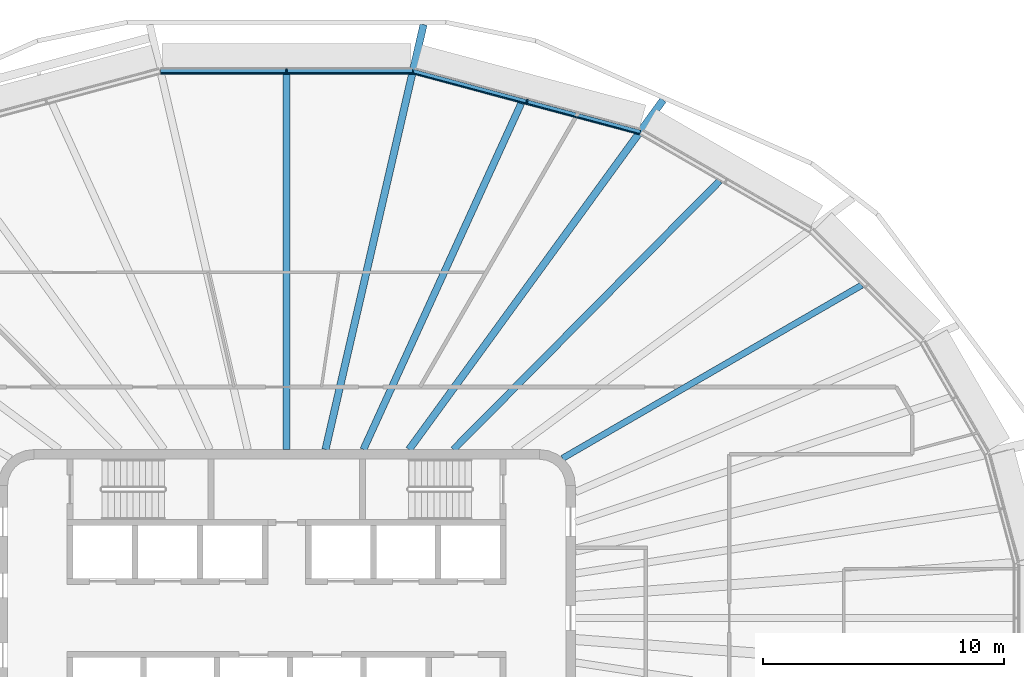
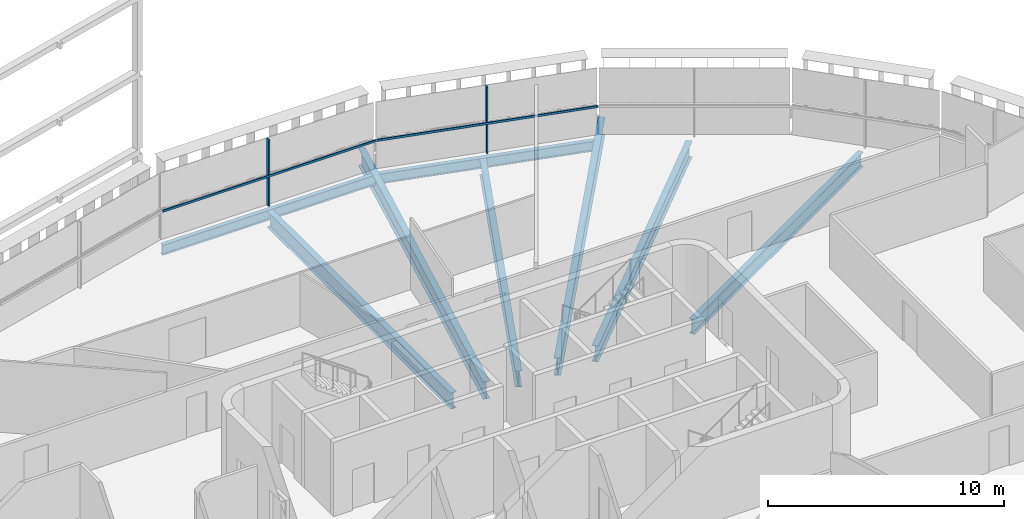
# One storey, part 6 of 20: 8 beams, 4 members, 2 elements without a shape of their own.
"""IFC4 building model written with IfcOpenShell, lengths in metres."""

from ifc_helpers import new_model, si_unit, direction, frame, origin, origin_2d, place, context, subcontext, project, spatial, rectangle, i_section, extrude, material, layer, layer_set, material_profile, profile_set, type_object, element, aggregate, save


model = new_model("IFC4")

# Units and contexts
model_context = context("Model", 3, precision=1e-05, world=origin(), true_north=direction((0.0, 1.0)))
body_context = subcontext(model_context, "Body", "Model", "MODEL_VIEW")
ifc_project = project(units=[si_unit("LENGTHUNIT", "METRE"), si_unit("AREAUNIT", "SQUARE_METRE"), si_unit("VOLUMEUNIT", "CUBIC_METRE"), si_unit("PLANEANGLEUNIT", "RADIAN"), si_unit("MASSUNIT", "GRAM", prefix="KILO")], contexts=[model_context])

# Site, building, storey
site_placement = place(None, origin())
site = spatial("IfcSite", under=ifc_project, at=site_placement, CompositionType="ELEMENT")
building_placement = place(site_placement, origin())
building = spatial("IfcBuilding", under=site, at=building_placement, Name="Sahrelin Media Tower", CompositionType="ELEMENT")
storey_placement = place(building_placement, frame((0.0, 0.0, 237.60009765625)))
storey = spatial("IfcBuildingStorey", under=building, at=storey_placement, Name="L51", CompositionType="ELEMENT", Elevation=237.60009765625)

# Beams
ifc_material_1 = material(Name="Steel S355", Category="steel")
ifc_material_profile_1 = material_profile(ifc_material_1, i_section(OverallWidth=0.208740234375, OverallDepth=0.5283203125, WebThickness=0.009521484375, FlangeThickness=0.01318359375, FilletRadius=0.0126953125, at=origin_2d()), Name="UB 533x210x82")
ifc_profile_set_1 = profile_set([ifc_material_profile_1], Name="Steel S355")
beam_type_1 = type_object("IfcBeamType", Name="Edge beam EB6", PredefinedType="BEAM", material=ifc_profile_set_1)
beam_1_placement = place(storey_placement, frame((-5.239013671875, 22.699951171875, -0.414306640625), z_axis=(1.0, 0.0, 0.0), x_axis=(0.0, 1.0, 0.0)))
element("IfcBeam", 1, at=beam_1_placement, inside=storey, type_object=beam_type_1, Name="Edge beam L51-19", PredefinedType="BEAM", context=body_context, shape_type="SweptSolid", body=[
    extrude(i_section(OverallWidth=0.208740234375, OverallDepth=0.5283203125, WebThickness=0.009521484375, FlangeThickness=0.01318359375, FilletRadius=0.0126953125, at=origin_2d()), origin(), (0.0, 0.0, 1.0), 10.47802734375),
])
beam_2_placement = place(storey_placement, frame((5.267578125, 22.6962890625, -0.414306640625), z_axis=(0.965922692081, -0.258830741845, 0.0), x_axis=(0.258830741845, 0.965922692081, 0.0)))
element("IfcBeam", 2, at=beam_2_placement, inside=storey, type_object=beam_type_1, Name="Edge beam L51-20", PredefinedType="BEAM", context=body_context, shape_type="SweptSolid", body=[
    extrude(i_section(OverallWidth=0.208740234375, OverallDepth=0.5283203125, WebThickness=0.009521484375, FlangeThickness=0.01318359375, FilletRadius=0.0126953125, at=origin_2d()), origin(), (0.0, 0.0, 1.0), 9.755126953125),
])

# Curtain wall, member
ifc_material_2 = material(Name="Champagne anodised aluminium 6063-T6", Category="aluminium")
ifc_layer = layer(ifc_material_2, 0.14990234375)
ifc_layer_set = layer_set([ifc_layer], Name="Tower ribbon curtain wall")
curtain_wall_type = type_object("IfcCurtainWallType", Name="Tower ribbon curtain wall", PredefinedType="NOTDEFINED", material=ifc_layer_set)
curtain_wall_1_placement = place(storey_placement, frame((10.017578125, 21.578857421875, 0.0), z_axis=(0.0, 0.0, 1.0), x_axis=(1.0, 0.0, 0.0)))
curtain_wall_1 = element("IfcCurtainWall", 3, at=curtain_wall_1_placement, inside=storey, type_object=curtain_wall_type, Name="L51:CW:L51-05", PredefinedType="NOTDEFINED")
ifc_material_profile_2 = material_profile(ifc_material_2, rectangle(XDim=0.06005859375, YDim=0.175048828125, at=origin_2d()), Name="Mullion 60x175")
ifc_profile_set_2 = profile_set([ifc_material_profile_2], Name="Champagne anodised aluminium 6063-T6")
member_type_1 = type_object("IfcMemberType", Name="Mullion 60x175 CW1B", PredefinedType="MULLION", material=ifc_profile_set_2)
member_1_placement = place(storey_placement, frame((9.98974609375, 21.474853515625, 0.0), z_axis=(0.0, 0.0, 1.0), x_axis=(-0.965925374563, 0.258820730961, 0.0)))
member_1 = element("IfcMember", 4, at=member_1_placement, type_object=member_type_1, Name="L51:CWM:L51-05", PredefinedType="MULLION", context=body_context, shape_type="SweptSolid", body=[
    extrude(rectangle(XDim=0.06005859375, YDim=0.175048828125, at=origin_2d()), origin(), (0.0, 0.0, 1.0), 3.448486328125),
])

curtain_wall_2_placement = place(storey_placement, frame((0.0, 22.85009765625, 0.0), z_axis=(0.0, 0.0, 1.0), x_axis=(1.0, 0.0, 0.0)))
curtain_wall_2 = element("IfcCurtainWall", 5, at=curtain_wall_2_placement, inside=storey, type_object=curtain_wall_type, Name="L51:CW:L51-06", PredefinedType="NOTDEFINED")
member_2_placement = place(storey_placement, frame((0.0, 22.742431640625, 0.0), z_axis=(0.0, 0.0, 1.0), x_axis=(-1.0, 0.0, 0.0)))
member_2 = element("IfcMember", 6, at=member_2_placement, type_object=member_type_1, Name="L51:CWM:L51-06", PredefinedType="MULLION", context=body_context, shape_type="SweptSolid", body=[
    extrude(rectangle(XDim=0.06005859375, YDim=0.175048828125, at=origin_2d()), origin(), (0.0, 0.0, 1.0), 3.448486328125),
])

# Beams
ifc_material_profile_3 = material_profile(ifc_material_1, i_section(OverallWidth=0.30322265625, OverallDepth=0.903076171875, WebThickness=0.01513671875, FlangeThickness=0.020263671875, FilletRadius=0.01904296875, at=origin_2d()), Name="UB 914x305x201")
ifc_profile_set_3 = profile_set([ifc_material_profile_3], Name="Steel S355")
beam_type_2 = type_object("IfcBeamType", Name="Radial primary beam PB11", PredefinedType="BEAM", material=ifc_profile_set_3)
beam_3_placement = place(storey_placement, frame((5.08837890625, 7.0, -0.6015625), z_axis=(0.587988206602, 0.808869500536, 0.0), x_axis=(-0.808869500536, 0.587988206602, 0.0)))
element("IfcBeam", 7, at=beam_3_placement, inside=storey, type_object=beam_type_2, Name="Radial beam L51-05", PredefinedType="BEAM", context=body_context, shape_type="SweptSolid", body=[
    extrude(i_section(OverallWidth=0.30322265625, OverallDepth=0.903076171875, WebThickness=0.01513671875, FlangeThickness=0.020263671875, FilletRadius=0.01904296875, at=origin_2d()), origin(), (0.0, 0.0, 1.0), 17.9599609375),
])
beam_4_placement = place(storey_placement, frame((1.615478515625, 7.0, -0.6015625), z_axis=(0.224867376776, 0.97438937949, 0.0), x_axis=(-0.97438937949, 0.224867376776, 0.0)))
element("IfcBeam", 8, at=beam_4_placement, inside=storey, type_object=beam_type_2, Name="Radial beam L51-06", PredefinedType="BEAM", context=body_context, shape_type="SweptSolid", body=[
    extrude(i_section(OverallWidth=0.30322265625, OverallDepth=0.903076171875, WebThickness=0.01513671875, FlangeThickness=0.020263671875, FilletRadius=0.01904296875, at=origin_2d()), origin(), (0.0, 0.0, 1.0), 18.124755859375),
])
ifc_material_profile_4 = material_profile(ifc_material_1, i_section(OverallWidth=0.291748046875, OverallDepth=0.8349609375, WebThickness=0.013916015625, FlangeThickness=0.018798828125, FilletRadius=0.017822265625, at=origin_2d()), Name="UB 838x292x176")
ifc_profile_set_4 = profile_set([ifc_material_profile_4], Name="Steel S355")
beam_type_3 = type_object("IfcBeamType", Name="Radial secondary beam SB10", PredefinedType="BEAM", material=ifc_profile_set_4)
beam_5_placement = place(storey_placement, frame((6.934326171875, 7.0, -0.567626953125), z_axis=(0.70375757682, 0.710440196687, 0.0), x_axis=(-0.710440196687, 0.70375757682, 0.0)))
element("IfcBeam", 9, at=beam_5_placement, inside=storey, type_object=beam_type_3, Name="Secondary beam L51-04", PredefinedType="BEAM", context=body_context, shape_type="SweptSolid", body=[
    extrude(i_section(OverallWidth=0.291748046875, OverallDepth=0.8349609375, WebThickness=0.013916015625, FlangeThickness=0.018798828125, FilletRadius=0.017822265625, at=origin_2d()), origin(), (0.0, 0.0, 1.0), 15.70947265625),
])
beam_6_placement = place(storey_placement, frame((3.19091796875, 7.0, -0.567626953125), z_axis=(0.414752003644, 0.90993448966, 0.0), x_axis=(-0.90993448966, 0.414752003644, 0.0)))
element("IfcBeam", 10, at=beam_6_placement, inside=storey, type_object=beam_type_3, Name="Secondary beam L51-05", PredefinedType="BEAM", context=body_context, shape_type="SweptSolid", body=[
    extrude(i_section(OverallWidth=0.291748046875, OverallDepth=0.8349609375, WebThickness=0.013916015625, FlangeThickness=0.018798828125, FilletRadius=0.017822265625, at=origin_2d()), origin(), (0.0, 0.0, 1.0), 15.8115234375),
])
beam_7_placement = place(storey_placement, frame((0.0, 7.0, -0.567626953125), z_axis=(0.0, 1.0, 0.0), x_axis=(-1.0, 0.0, 0.0)))
element("IfcBeam", 11, at=beam_7_placement, inside=storey, type_object=beam_type_3, Name="Secondary beam L51-06", PredefinedType="BEAM", context=body_context, shape_type="SweptSolid", body=[
    extrude(i_section(OverallWidth=0.291748046875, OverallDepth=0.8349609375, WebThickness=0.013916015625, FlangeThickness=0.018798828125, FilletRadius=0.017822265625, at=origin_2d()), origin(), (0.0, 0.0, 1.0), 15.595703125),
])
ifc_material_profile_5 = material_profile(ifc_material_1, i_section(OverallWidth=0.26513671875, OverallDepth=0.75390625, WebThickness=0.0126953125, FlangeThickness=0.017578125, FilletRadius=0.0166015625, at=origin_2d()), Name="UB 762x267x147")
ifc_profile_set_5 = profile_set([ifc_material_profile_5], Name="Steel S355")
beam_type_4 = type_object("IfcBeamType", Name="Radial secondary beam SB9", PredefinedType="BEAM", material=ifc_profile_set_5)
beam_8_placement = place(storey_placement, frame((11.465087890625, 6.634033203125, -0.527099609375), z_axis=(0.865540628134, 0.500838717602, 0.0), x_axis=(-0.500838717602, 0.865540628134, 0.0)))
element("IfcBeam", 12, at=beam_8_placement, inside=storey, type_object=beam_type_4, Name="Secondary beam L51-03", PredefinedType="BEAM", context=body_context, shape_type="SweptSolid", body=[
    extrude(i_section(OverallWidth=0.26513671875, OverallDepth=0.75390625, WebThickness=0.0126953125, FlangeThickness=0.017578125, FilletRadius=0.0166015625, at=origin_2d()), origin(), (0.0, 0.0, 1.0), 14.371826171875),
])

# Member
ifc_material_profile_6 = material_profile(ifc_material_2, rectangle(XDim=0.050048828125, YDim=0.110107421875, at=origin_2d()), Name="Transom 50x110")
ifc_profile_set_6 = profile_set([ifc_material_profile_6], Name="Champagne anodised aluminium 6063-T6")
member_type_2 = type_object("IfcMemberType", Name="Transom 50x110 CW1B", PredefinedType="USERDEFINED", material=ifc_profile_set_6)
member_3_placement = place(storey_placement, frame((14.65673828125, 20.10791015625, 1.599853515625), z_axis=(-0.965925860392, 0.25881891783, 0.0), x_axis=(-0.25881891783, -0.965925860392, 0.0)))
member_3 = element("IfcMember", 13, at=member_3_placement, type_object=member_type_2, Name="L51:CWT:L51-05", ObjectType="TRANSOM", PredefinedType="USERDEFINED", context=body_context, shape_type="SweptSolid", body=[
    extrude(rectangle(XDim=0.050048828125, YDim=0.110107421875, at=origin_2d()), origin(), (0.0, 0.0, 1.0), 9.723388671875),
])

aggregate(curtain_wall_1, [member_1, member_3])

member_4_placement = place(storey_placement, frame((5.223388671875, 22.6298828125, 1.599853515625), z_axis=(-1.0, 0.0, 0.0), x_axis=(0.0, -1.0, 0.0)))
member_4 = element("IfcMember", 14, at=member_4_placement, type_object=member_type_2, Name="L51:CWT:L51-06", ObjectType="TRANSOM", PredefinedType="USERDEFINED", context=body_context, shape_type="SweptSolid", body=[
    extrude(rectangle(XDim=0.050048828125, YDim=0.110107421875, at=origin_2d()), origin(), (0.0, 0.0, 1.0), 10.44677734375),
])

aggregate(curtain_wall_2, [member_2, member_4])

save(model, "model.ifc")
